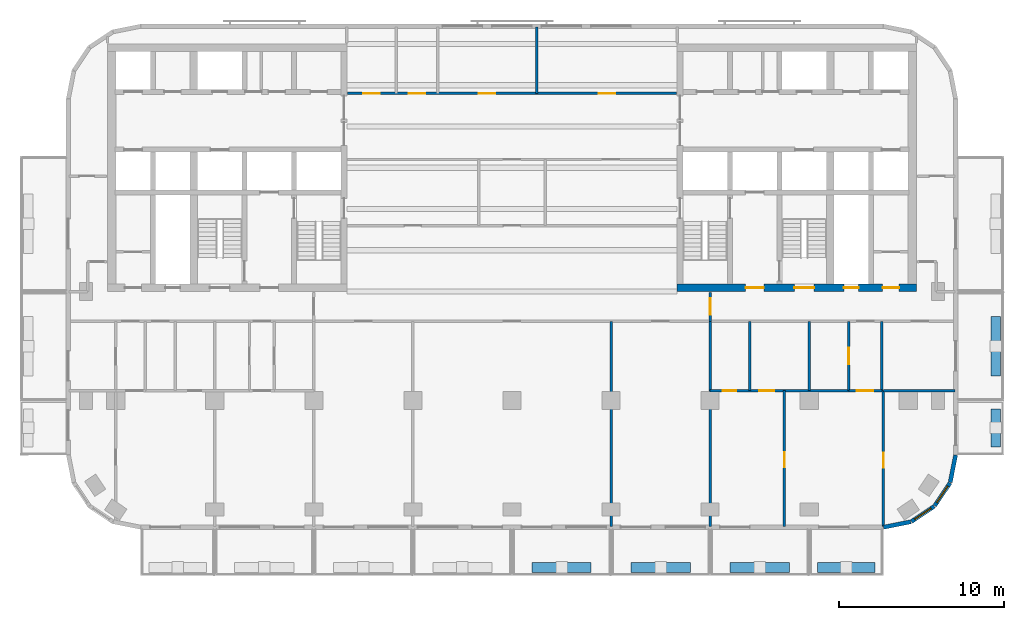
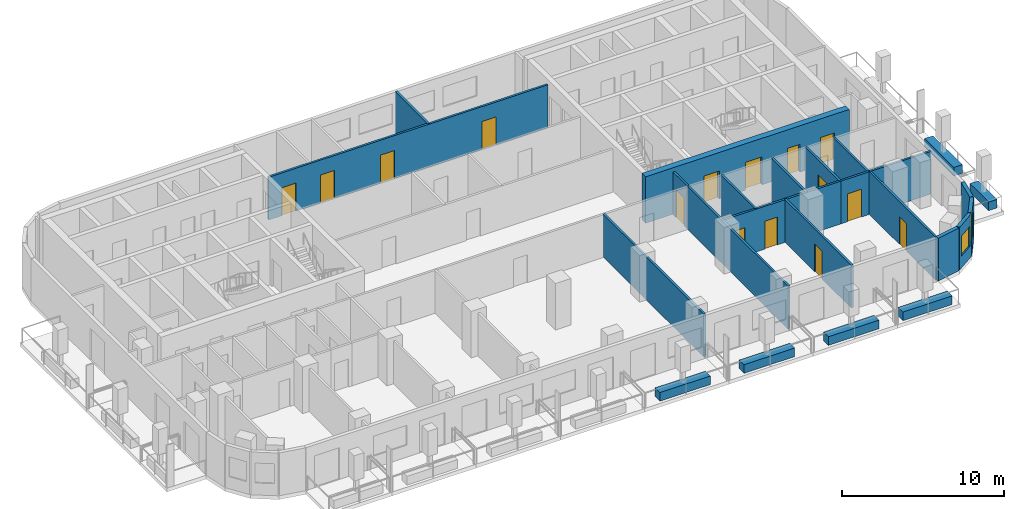
# One storey, part 5 of 11: 25 walls, 15 doors, 2 windows, 17 openings.
"""IFC4 building model written with IfcOpenShell, lengths in metres."""

import ifcopenshell
import ifcopenshell.guid

model = None  # the IFC model being written
_history = None  # IfcOwnerHistory: only IFC2X3 demands one
_inside = {}  # id of a spatial element -> (the spatial element, [elements in it])
_under = {}  # id of a project, library or spatial element -> (it, [spatial elements below it])
_declared = {}  # id of a project -> (the project, [libraries it declares])
_typed = {}  # id of a type object -> (the type object, [elements of that type])
_made_of = {}  # id of a material, layer set ... -> (it, [elements and type objects made of it])


def new_model(schema):
    """Start an empty IFC model of exactly this schema.

    Asked for "IFC4X3", IfcOpenShell would pick the latest addendum, in which some entities
    have other attributes; the version numbers below select the first issue.
    IFC2X3 requires an IfcOwnerHistory on every rooted entity: one is made here for all.
    """
    global model, _history
    if schema == "IFC4X3":
        model = ifcopenshell.file(schema_version=(4, 3, 0, 0))
    else:
        model = ifcopenshell.file(schema=schema)
    _inside.clear()
    _under.clear()
    _declared.clear()
    _typed.clear()
    _made_of.clear()
    _history = None
    if model.schema == "IFC2X3":
        org = make("IfcOrganization", Name="unknown")
        user = make(
            "IfcPersonAndOrganization",
            ThePerson=make("IfcPerson", FamilyName="unknown"),
            TheOrganization=org,
        )
        app = make(
            "IfcApplication",
            ApplicationDeveloper=org,
            Version="unknown",
            ApplicationFullName="unknown",
            ApplicationIdentifier="unknown",
        )
        _history = make(
            "IfcOwnerHistory",
            OwningUser=user,
            OwningApplication=app,
            ChangeAction="ADDED",
            CreationDate=0,
        )
    return model


def make(cls, **values):
    """One entity of the class cls with the attributes given. An attribute that is None is left unset."""
    return model.create_entity(
        cls, **{name: value for name, value in values.items() if value is not None}
    )


def rooted(cls, **values):
    """An entity with a GlobalId (a new one), such as an element, a storey or a relation."""
    return make(cls, GlobalId=ifcopenshell.guid.new(), OwnerHistory=_history, **values)


def si_unit(unit_type, name, prefix=None):
    """IfcSIUnit, for example si_unit("LENGTHUNIT", "METRE", prefix="MILLI")."""
    return make("IfcSIUnit", UnitType=unit_type, Prefix=prefix, Name=name)


def assignment(units):
    """IfcUnitAssignment: the units of a project."""
    return None if units is None else make("IfcUnitAssignment", Units=units)


def point(xyz):
    """IfcCartesianPoint."""
    return None if xyz is None else make("IfcCartesianPoint", Coordinates=xyz)


def direction(xyz):
    """IfcDirection."""
    return None if xyz is None else make("IfcDirection", DirectionRatios=xyz)


def frame(location, z_axis=None, x_axis=None):
    """IfcAxis2Placement3D, a coordinate frame: its origin and axes. An axis left out is left unset."""
    return make(
        "IfcAxis2Placement3D",
        Location=point(location),
        Axis=direction(z_axis),
        RefDirection=direction(x_axis),
    )


def frame_2d(location, x_axis=None):
    """IfcAxis2Placement2D, a coordinate frame in the plane: its origin and x axis."""
    return make(
        "IfcAxis2Placement2D", Location=point(location), RefDirection=direction(x_axis)
    )


def origin():
    """The frame at (0, 0, 0) with its axes left unset."""
    return frame((0.0, 0.0, 0.0))


def place(relative_to, where):
    """IfcLocalPlacement: puts the frame where relative to a parent placement (None: the world)."""
    return make(
        "IfcLocalPlacement", PlacementRelTo=relative_to, RelativePlacement=where
    )


def context(
    kind, dimensions, precision=None, world=None, true_north=None, identifier=None
):
    """IfcGeometricRepresentationContext, for example the 3D "Model" context."""
    return make(
        "IfcGeometricRepresentationContext",
        ContextIdentifier=identifier,
        ContextType=kind,
        CoordinateSpaceDimension=dimensions,
        Precision=precision,
        WorldCoordinateSystem=world,
        TrueNorth=true_north,
    )


def subcontext(parent, identifier, kind, view, scale=None):
    """IfcGeometricRepresentationSubContext, for example "Body" below "Model"."""
    return make(
        "IfcGeometricRepresentationSubContext",
        ContextIdentifier=identifier,
        ContextType=kind,
        ParentContext=parent,
        TargetScale=scale,
        TargetView=view,
    )


def project(units=None, contexts=None):
    """IfcProject with its units and contexts."""
    return rooted(
        "IfcProject",
        Name="project",
        RepresentationContexts=contexts,
        UnitsInContext=assignment(units),
    )


def spatial(cls, under=None, at=None, **own):
    """A site, building, storey or space (cls), placed at a placement, below another one or the project."""
    s = rooted(cls, ObjectPlacement=at, **own)
    if under is not None:
        _under.setdefault(under.id(), (under, []))[1].append(s)
    return s


def profile(cls, at=None, kind="AREA", **sizes):
    """A parametric profile (cls). Its sizes go by their IFC names, for example OverallWidth=200.0."""
    return make(cls, ProfileType=kind, Position=at, **sizes)


def rectangle(**sizes):
    """IfcRectangleProfileDef."""
    return profile("IfcRectangleProfileDef", **sizes)


def extrude(swept, where, along, depth):
    """IfcExtrudedAreaSolid: the profile swept, set in the frame where, extruded along a direction by depth."""
    return make(
        "IfcExtrudedAreaSolid",
        SweptArea=swept,
        Position=where,
        ExtrudedDirection=direction(along),
        Depth=depth,
    )


def shape(context_of_items, identifier, shape_type, items):
    """IfcShapeRepresentation: the items that make up one representation, for example the "Body"."""
    return make(
        "IfcShapeRepresentation",
        ContextOfItems=context_of_items,
        RepresentationIdentifier=identifier,
        RepresentationType=shape_type,
        Items=items,
    )


def material(Name=None, Category=None):
    """IfcMaterial."""
    return make("IfcMaterial", Name=Name, Category=Category)


def layer(
    of_material, thickness, ventilated=None, Name=None, Category=None, Priority=None
):
    """IfcMaterialLayer: one layer of a wall or slab, of a material (None: an air gap)."""
    return make(
        "IfcMaterialLayer",
        Material=of_material,
        LayerThickness=thickness,
        IsVentilated=ventilated,
        Name=Name,
        Category=Category,
        Priority=Priority,
    )


def layer_set(layers, Name=None):
    """IfcMaterialLayerSet."""
    return make("IfcMaterialLayerSet", MaterialLayers=layers, LayerSetName=Name)


def made_of(thing, what):
    """Note that an element or type object is made of a material, layer set ...; save() writes the relation."""
    if what is not None:
        _made_of.setdefault(what.id(), (what, []))[1].append(thing)
    return thing


def type_object(cls, material=None, **own):
    """A type object (cls), such as IfcWallType, which elements share."""
    return made_of(rooted(cls, **own), material)


def element(
    cls,
    number,
    at=None,
    inside=None,
    cuts=None,
    type_object=None,
    material=None,
    context=None,
    identifier="Body",
    shape_type=None,
    held_by="IfcProductDefinitionShape",
    body=None,
    shapes=None,
    **own,
):
    """One element of the class cls, such as IfcWall. Its Tag is "e" and its number.

    at: its placement. inside: the storey or other place that contains it. cuts: it is an
    opening in that element (IfcRelVoidsElement). A single representation is given by context,
    identifier, shape_type and body (its items); several are given by shapes. held_by: the class
    of the entity that holds the representations. save() writes the other relations.
    """
    e = rooted(cls, Tag="e%d" % number, ObjectPlacement=at, **own)
    if body is not None:
        shapes = [shape(context, identifier, shape_type, body)]
    if shapes is not None:
        e.Representation = make(held_by, Representations=shapes)
    if inside is not None:
        _inside.setdefault(inside.id(), (inside, []))[1].append(e)
    if cuts is not None:
        rooted(
            "IfcRelVoidsElement", RelatingBuildingElement=cuts, RelatedOpeningElement=e
        )
    if type_object is not None:
        _typed.setdefault(type_object.id(), (type_object, []))[1].append(e)
    return made_of(e, material)


def fill(opening, filler):
    """IfcRelFillsElement: the door or window that sits in an opening."""
    return rooted(
        "IfcRelFillsElement",
        RelatingOpeningElement=opening,
        RelatedBuildingElement=filler,
    )


def aggregate(whole, parts):
    """IfcRelAggregates: a whole, such as a stair, and the parts it consists of."""
    return rooted("IfcRelAggregates", RelatingObject=whole, RelatedObjects=parts)


def save(model, path):
    """Write the relations noted so far, then the file.

    IfcRelAggregates (storeys below a building ...), IfcRelContainedInSpatialStructure (elements
    in a storey), IfcRelDefinesByType, IfcRelAssociatesMaterial and IfcRelDeclares: one each for
    every whole, place, type object, material and project.
    """
    for whole, parts in _under.values():
        aggregate(whole, parts)
    for where, things in _inside.values():
        rooted(
            "IfcRelContainedInSpatialStructure",
            RelatedElements=things,
            RelatingStructure=where,
        )
    for kind, things in _typed.values():
        rooted("IfcRelDefinesByType", RelatedObjects=things, RelatingType=kind)
    for what, things in _made_of.values():
        rooted("IfcRelAssociatesMaterial", RelatedObjects=things, RelatingMaterial=what)
    for by, libraries in _declared.values():
        rooted("IfcRelDeclares", RelatingContext=by, RelatedDefinitions=libraries)
    model.write(path)


model = new_model("IFC4")

# Units and contexts
model_context = context("Model", 3, precision=1e-05, world=origin(), true_north=direction((0.0, 1.0)))
body_context = subcontext(model_context, "Body", "Model", "MODEL_VIEW")
ifc_project = project(units=[si_unit("LENGTHUNIT", "METRE"), si_unit("AREAUNIT", "SQUARE_METRE"), si_unit("VOLUMEUNIT", "CUBIC_METRE"), si_unit("PLANEANGLEUNIT", "RADIAN"), si_unit("MASSUNIT", "GRAM", prefix="KILO")], contexts=[model_context])

# Site, building, storey
site_placement = place(None, origin())
site = spatial("IfcSite", under=ifc_project, at=site_placement, CompositionType="ELEMENT")
building_placement = place(site_placement, origin())
building = spatial("IfcBuilding", under=site, at=building_placement, Name="Torana Hotel and Residences", CompositionType="ELEMENT")
storey_placement = place(building_placement, frame((0.0, 0.0, 222.10009765625)))
storey = spatial("IfcBuildingStorey", under=building, at=storey_placement, Name="L58", CompositionType="ELEMENT", Elevation=222.10009765625)

# Wall, openings, doors
ifc_material_1 = material(Name="Concrete C70/85", Category="concrete")
ifc_layer_1 = layer(ifc_material_1, 0.449951171875)
ifc_layer_set_1 = layer_set([ifc_layer_1], Name="CORE WALL 450 C70/85")
wall_type_1 = type_object("IfcWallType", Name="CORE WALL 450 C70/85", PredefinedType="SHEAR", material=ifc_layer_set_1)
wall_1_placement = place(storey_placement, frame((10.0, -14.77490234375, 0.0), z_axis=(0.0, 0.0, 1.0), x_axis=(1.0, 0.0, 0.0)))
wall_1 = element("IfcWall", 1, at=wall_1_placement, inside=storey, type_object=wall_type_1, Name="Core wall E front", PredefinedType="SHEAR", context=body_context, shape_type="SweptSolid", body=[
    extrude(rectangle(XDim=14.5, YDim=0.449951171875, at=frame_2d((7.25, 0.0))), origin(), (0.0, 0.0, 1.0), 3.5),
])
opening_1_placement = place(wall_1_placement, frame((7.10009765625, 0.0, 0.0)))
opening_1 = element("IfcOpeningElement", 2, at=opening_1_placement, cuts=wall_1, Name="Opening L58-18", PredefinedType="OPENING", context=body_context, shape_type="SweptSolid", body=[
    extrude(rectangle(XDim=1.199951171875, YDim=2.10009765625, at=frame_2d((0.60009765625, 1.050048828125))), frame((0.0, 0.23486328125, 0.0), z_axis=(0.0, -1.0, 0.0), x_axis=(1.0, 0.0, 0.0)), (0.0, 0.0, 1.0), 0.469970703125),
])
opening_2_placement = place(wall_1_placement, frame((4.14990234375, 0.0, 0.0)))
opening_2 = element("IfcOpeningElement", 3, at=opening_2_placement, cuts=wall_1, Name="Opening L58-19", PredefinedType="OPENING", context=body_context, shape_type="SweptSolid", body=[
    extrude(rectangle(XDim=1.10009765625, YDim=2.10009765625, at=frame_2d((0.550048828125, 1.050048828125))), frame((0.0, 0.23486328125, 0.0), z_axis=(0.0, -1.0, 0.0), x_axis=(1.0, 0.0, 0.0)), (0.0, 0.0, 1.0), 0.469970703125),
])
opening_3_placement = place(wall_1_placement, frame((10.10009765625, 0.0, 0.0)))
opening_3 = element("IfcOpeningElement", 4, at=opening_3_placement, cuts=wall_1, Name="Opening L58-20", PredefinedType="OPENING", context=body_context, shape_type="SweptSolid", body=[
    extrude(rectangle(XDim=0.89990234375, YDim=2.10009765625, at=frame_2d((0.449951171875, 1.050048828125))), frame((0.0, 0.23486328125, 0.0), z_axis=(0.0, -1.0, 0.0), x_axis=(1.0, 0.0, 0.0)), (0.0, 0.0, 1.0), 0.469970703125),
])
opening_4_placement = place(wall_1_placement, frame((12.449951171875, 0.0, 0.0)))
opening_4 = element("IfcOpeningElement", 5, at=opening_4_placement, cuts=wall_1, Name="Opening L58-21", PredefinedType="OPENING", context=body_context, shape_type="SweptSolid", body=[
    extrude(rectangle(XDim=1.0, YDim=2.10009765625, at=frame_2d((0.5, 1.050048828125))), frame((0.0, 0.23486328125, 0.0), z_axis=(0.0, -1.0, 0.0), x_axis=(1.0, 0.0, 0.0)), (0.0, 0.0, 1.0), 0.469970703125),
])
ifc_material_2 = material(Name="Steel S235", Category="steel")
door_type_1 = type_object("IfcDoorType", Name="CORE ROOM FIRE DOOR D14 1000x2100", OperationType="SINGLE_SWING_LEFT", PredefinedType="DOOR", material=ifc_material_2)
door_1_placement = place(opening_4_placement, origin())
door_1 = element("IfcDoor", 6, at=door_1_placement, inside=storey, type_object=door_type_1, Name="M-Room-B door L58", OperationType="SINGLE_SWING_RIGHT", OverallHeight=2.10009765625, OverallWidth=1.0, PredefinedType="DOOR", context=body_context, shape_type="SweptSolid", body=[
    extrude(rectangle(XDim=1.0, YDim=2.10009765625, at=frame_2d((0.5, 1.050048828125))), frame((0.0, 0.02490234375, 0.0), z_axis=(0.0, -1.0, 0.0), x_axis=(1.0, 0.0, 0.0)), (0.0, 0.0, 1.0), 0.050048828125),
])
fill(opening_4, door_1)
ifc_material_3 = material(Name="Steel S235", Category="steel")
door_type_2 = type_object("IfcDoorType", Name="FIRE-FIGHTING LOBBY DOOR D8 1100x2100", OperationType="SINGLE_SWING_LEFT", PredefinedType="DOOR", material=ifc_material_3)
door_2_placement = place(opening_2_placement, origin())
door_2 = element("IfcDoor", 7, at=door_2_placement, inside=storey, type_object=door_type_2, Name="FF-lobby door L58", OperationType="SINGLE_SWING_RIGHT", OverallHeight=2.10009765625, OverallWidth=1.10009765625, PredefinedType="DOOR", context=body_context, shape_type="SweptSolid", body=[
    extrude(rectangle(XDim=1.10009765625, YDim=2.10009765625, at=frame_2d((0.550048828125, 1.050048828125))), frame((0.0, 0.02490234375, 0.0), z_axis=(0.0, -1.0, 0.0), x_axis=(1.0, 0.0, 0.0)), (0.0, 0.0, 1.0), 0.050048828125),
])
fill(opening_2, door_2)
ifc_material_4 = material(Name="Steel S235", Category="steel")
door_type_3 = type_object("IfcDoorType", Name="RISER ACCESS DOOR D5 900x2100", OperationType="SINGLE_SWING_LEFT", PredefinedType="DOOR", material=ifc_material_4)
door_3_placement = place(opening_3_placement, origin())
door_3 = element("IfcDoor", 8, at=door_3_placement, inside=storey, type_object=door_type_3, Name="M-Riser door L58", OperationType="SINGLE_SWING_RIGHT", OverallHeight=2.10009765625, OverallWidth=0.89990234375, PredefinedType="DOOR", context=body_context, shape_type="SweptSolid", body=[
    extrude(rectangle(XDim=0.89990234375, YDim=2.10009765625, at=frame_2d((0.449951171875, 1.050048828125))), frame((0.0, 0.02490234375, 0.0), z_axis=(0.0, -1.0, 0.0), x_axis=(1.0, 0.0, 0.0)), (0.0, 0.0, 1.0), 0.050048828125),
])
fill(opening_3, door_3)
ifc_material_5 = material(Name="Steel S235", Category="steel")
door_type_4 = type_object("IfcDoorType", Name="STAIR FIRE DOOR D3 1200x2100", OperationType="SINGLE_SWING_LEFT", PredefinedType="DOOR", material=ifc_material_5)
door_4_placement = place(opening_1_placement, origin())
door_4 = element("IfcDoor", 9, at=door_4_placement, inside=storey, type_object=door_type_4, Name="Stair-B door L58", OperationType="SINGLE_SWING_RIGHT", OverallHeight=2.10009765625, OverallWidth=1.199951171875, PredefinedType="DOOR", context=body_context, shape_type="SweptSolid", body=[
    extrude(rectangle(XDim=1.199951171875, YDim=2.10009765625, at=frame_2d((0.60009765625, 1.050048828125))), frame((0.0, 0.02490234375, 0.0), z_axis=(0.0, -1.0, 0.0), x_axis=(1.0, 0.0, 0.0)), (0.0, 0.0, 1.0), 0.050048828125),
])
fill(opening_1, door_4)

# Wall
ifc_material_6 = material(Name="Black aluminium composite panel", Category="aluminium")
ifc_layer_2 = layer(ifc_material_6, 0.00390625, Name="Cladding", Category="cladding")
ifc_material_7 = material(Name="Ventilated air cavity")
ifc_layer_3 = layer(ifc_material_7, 0.0400390625, Name="Ventilated cavity", Category="cavity")
ifc_material_8 = material(Name="Mineral wool insulation")
ifc_layer_4 = layer(ifc_material_8, 0.090087890625, Name="Insulation", Category="insulation")
ifc_material_9 = material(Name="Steel S280GD", Category="steel")
ifc_layer_5 = layer(ifc_material_9, 0.092041015625, Name="Steel stud frame", Category="structure")
ifc_material_10 = material(Name="Fire rated plasterboard")
ifc_layer_6 = layer(ifc_material_10, 0.011962890625, Name="Inner board", Category="finish")
ifc_layer_7 = layer(ifc_material_10, 0.011962890625, Name="Second board", Category="finish")
ifc_layer_set_2 = layer_set([ifc_layer_2, ifc_layer_3, ifc_layer_4, ifc_layer_5, ifc_layer_6, ifc_layer_7], Name="EW1 EXTERNAL WALL BLACK METAL CLAD 250")
wall_type_2 = type_object("IfcWallType", Name="EW1 EXTERNAL WALL BLACK METAL CLAD 250", PredefinedType="SOLIDWALL", material=ifc_layer_set_2)
wall_2_placement = place(storey_placement, frame((22.499755859375, -29.272705078125, 0.0), z_axis=(0.0, 0.0, 1.0), x_axis=(0.980775640221, 0.19513878023, 0.0)))
element("IfcWall", 10, at=wall_2_placement, inside=storey, type_object=wall_type_2, Name="External wall L58 e0.15", PredefinedType="SOLIDWALL", context=body_context, shape_type="SweptSolid", body=[
    extrude(rectangle(XDim=1.681396484375, YDim=0.25, at=frame_2d((0.8408203125, 0.0))), origin(), (0.0, 0.0, 1.0), 3.219970703125),
])

# Wall, opening, window
wall_3_placement = place(storey_placement, frame((24.194091796875, -28.92578125, 0.0), z_axis=(0.0, 0.0, 1.0), x_axis=(0.831482937015, 0.55555029066, 0.0)))
wall_3 = element("IfcWall", 11, at=wall_3_placement, inside=storey, type_object=wall_type_2, Name="External wall L58 e0.16", PredefinedType="SOLIDWALL", context=body_context, shape_type="SweptSolid", body=[
    extrude(rectangle(XDim=1.65625, YDim=0.25, at=frame_2d((0.828125, 0.0))), origin(), (0.0, 0.0, 1.0), 3.219970703125),
])
opening_5_placement = place(wall_3_placement, frame((0.228271484375, 0.0, 0.89990234375)))
opening_5 = element("IfcOpeningElement", 12, at=opening_5_placement, cuts=wall_3, Name="Opening W5", PredefinedType="OPENING", context=body_context, shape_type="SweptSolid", body=[
    extrude(rectangle(XDim=1.199951171875, YDim=1.5, at=frame_2d((0.60009765625, 0.75))), frame((0.0, 0.135009765625, 0.0), z_axis=(0.0, -1.0, 0.0), x_axis=(1.0, 0.0, 0.0)), (0.0, 0.0, 1.0), 0.27001953125),
])
ifc_material_11 = material(Name="Dark glass in black aluminium frame", Category="aluminium")
window_type = type_object("IfcWindowType", Name="W5 CORNER FACET WINDOW 1200x1500", PartitioningType="SINGLE_PANEL", PredefinedType="WINDOW", material=ifc_material_11)
window_1_placement = place(opening_5_placement, origin())
window_1 = element("IfcWindow", 13, at=window_1_placement, inside=storey, type_object=window_type, Name="Window L58 e0.16", OverallHeight=1.5, OverallWidth=1.199951171875, PartitioningType="SINGLE_PANEL", PredefinedType="WINDOW", context=body_context, shape_type="SweptSolid", body=[
    extrude(rectangle(XDim=1.199951171875, YDim=1.5, at=frame_2d((0.60009765625, 0.75))), frame((0.0, 0.030029296875, 0.0), z_axis=(0.0, -1.0, 0.0), x_axis=(1.0, 0.0, 0.0)), (0.0, 0.0, 1.0), 0.06005859375),
])
fill(opening_5, window_1)

wall_4_placement = place(storey_placement, frame((25.605712890625, -27.97119140625, 0.0), z_axis=(0.0, 0.0, 1.0), x_axis=(0.55555029066, 0.831482937015, 0.0)))
wall_4 = element("IfcWall", 14, at=wall_4_placement, inside=storey, type_object=wall_type_2, Name="External wall L58 e0.17", PredefinedType="SOLIDWALL", context=body_context, shape_type="SweptSolid", body=[
    extrude(rectangle(XDim=1.65625, YDim=0.25, at=frame_2d((0.828125, 0.0))), origin(), (0.0, 0.0, 1.0), 3.219970703125),
])
opening_6_placement = place(wall_4_placement, frame((0.228271484375, 0.0, 0.89990234375)))
opening_6 = element("IfcOpeningElement", 15, at=opening_6_placement, cuts=wall_4, Name="Opening W5", PredefinedType="OPENING", context=body_context, shape_type="SweptSolid", body=[
    extrude(rectangle(XDim=1.199951171875, YDim=1.5, at=frame_2d((0.60009765625, 0.75))), frame((0.0, 0.135009765625, 0.0), z_axis=(0.0, -1.0, 0.0), x_axis=(1.0, 0.0, 0.0)), (0.0, 0.0, 1.0), 0.27001953125),
])
window_2_placement = place(opening_6_placement, origin())
window_2 = element("IfcWindow", 16, at=window_2_placement, inside=storey, type_object=window_type, Name="Window L58 e0.17", OverallHeight=1.5, OverallWidth=1.199951171875, PartitioningType="SINGLE_PANEL", PredefinedType="WINDOW", context=body_context, shape_type="SweptSolid", body=[
    extrude(rectangle(XDim=1.199951171875, YDim=1.5, at=frame_2d((0.60009765625, 0.75))), frame((0.0, 0.030029296875, 0.0), z_axis=(0.0, -1.0, 0.0), x_axis=(1.0, 0.0, 0.0)), (0.0, 0.0, 1.0), 0.06005859375),
])
fill(opening_6, window_2)

# Walls
wall_5_placement = place(storey_placement, frame((26.544677734375, -26.548828125, 0.0), z_axis=(0.0, 0.0, 1.0), x_axis=(0.195026884138, 0.980797896849, 0.0)))
element("IfcWall", 17, at=wall_5_placement, inside=storey, type_object=wall_type_2, Name="External wall L58 e0.18", PredefinedType="SOLIDWALL", context=body_context, shape_type="SweptSolid", body=[
    extrude(rectangle(XDim=1.68115234375, YDim=0.25, at=frame_2d((0.840576171875, 0.0))), origin(), (0.0, 0.0, 1.0), 3.219970703125),
])
ifc_material_12 = material(Name="Gypsum plaster")
ifc_layer_8 = layer(ifc_material_12, 0.014892578125, Name="Plaster", Category="finish")
ifc_material_13 = material(Name="Concrete blockwork", Category="masonry")
ifc_layer_9 = layer(ifc_material_13, 0.1201171875, Name="Blockwork", Category="structure")
ifc_layer_10 = layer(ifc_material_12, 0.014892578125, Name="Plaster", Category="finish")
ifc_layer_set_3 = layer_set([ifc_layer_8, ifc_layer_9, ifc_layer_10], Name="FIRE PARTITION 150 BLOCKWORK")
wall_type_3 = type_object("IfcWallType", Name="FIRE PARTITION 150 BLOCKWORK", PredefinedType="PARTITIONING", material=ifc_layer_set_3)
wall_6_placement = place(storey_placement, frame((22.39990234375, -21.0, 0.0), z_axis=(0.0, 0.0, 1.0), x_axis=(0.0, 1.0, 0.0)))
element("IfcWall", 18, at=wall_6_placement, inside=storey, type_object=wall_type_3, Name="Partition L58", PredefinedType="PARTITIONING", context=body_context, shape_type="SweptSolid", body=[
    extrude(rectangle(XDim=4.199951171875, YDim=0.14990234375, at=frame_2d((2.10009765625, 0.0))), origin(), (0.0, 0.0, 1.0), 3.219970703125),
])

# Wall, opening, door
wall_7_placement = place(storey_placement, frame((20.39990234375, -21.0, 0.0), z_axis=(0.0, 0.0, 1.0), x_axis=(0.0, 1.0, 0.0)))
wall_7 = element("IfcWall", 19, at=wall_7_placement, inside=storey, type_object=wall_type_3, Name="Partition L58", PredefinedType="PARTITIONING", context=body_context, shape_type="SweptSolid", body=[
    extrude(rectangle(XDim=4.199951171875, YDim=0.14990234375, at=frame_2d((2.10009765625, 0.0))), origin(), (0.0, 0.0, 1.0), 3.219970703125),
])
opening_7_placement = place(wall_7_placement, frame((1.60009765625, 0.0, 0.0)))
opening_7 = element("IfcOpeningElement", 20, at=opening_7_placement, cuts=wall_7, Name="Opening L58-60", PredefinedType="OPENING", context=body_context, shape_type="SweptSolid", body=[
    extrude(rectangle(XDim=1.0, YDim=2.10009765625, at=frame_2d((0.5, 1.050048828125))), frame((0.0, 0.0849609375, 0.0), z_axis=(0.0, -1.0, 0.0), x_axis=(1.0, 0.0, 0.0)), (0.0, 0.0, 1.0), 0.169921875),
])
ifc_material_14 = material(Name="Steel S235", Category="steel")
door_type_5 = type_object("IfcDoorType", Name="ENTRY FIRE DOOR D6 1000x2100", OperationType="SINGLE_SWING_LEFT", PredefinedType="DOOR", material=ifc_material_14)
door_5_placement = place(opening_7_placement, origin())
door_5 = element("IfcDoor", 21, at=door_5_placement, inside=storey, type_object=door_type_5, Name="Door L58", OperationType="SINGLE_SWING_RIGHT", OverallHeight=2.10009765625, OverallWidth=1.0, PredefinedType="DOOR", context=body_context, shape_type="SweptSolid", body=[
    extrude(rectangle(XDim=1.0, YDim=2.10009765625, at=frame_2d((0.5, 1.050048828125))), frame((0.0, 0.02490234375, 0.0), z_axis=(0.0, -1.0, 0.0), x_axis=(1.0, 0.0, 0.0)), (0.0, 0.0, 1.0), 0.050048828125),
])
fill(opening_7, door_5)

wall_8_placement = place(storey_placement, frame((12.0, -16.800048828125, 0.0), z_axis=(0.0, 0.0, 1.0), x_axis=(0.0, 1.0, 0.0)))
wall_8 = element("IfcWall", 22, at=wall_8_placement, inside=storey, type_object=wall_type_3, Name="Partition L58", PredefinedType="PARTITIONING", context=body_context, shape_type="SweptSolid", body=[
    extrude(rectangle(XDim=1.75, YDim=0.14990234375, at=frame_2d((0.875, 0.0))), origin(), (0.0, 0.0, 1.0), 3.219970703125),
])
opening_8_placement = place(wall_8_placement, frame((0.39990234375, 0.0, 0.0)))
opening_8 = element("IfcOpeningElement", 23, at=opening_8_placement, cuts=wall_8, Name="Opening L58-36", PredefinedType="OPENING", context=body_context, shape_type="SweptSolid", body=[
    extrude(rectangle(XDim=1.0, YDim=2.10009765625, at=frame_2d((0.5, 1.050048828125))), frame((0.0, 0.0849609375, 0.0), z_axis=(0.0, -1.0, 0.0), x_axis=(1.0, 0.0, 0.0)), (0.0, 0.0, 1.0), 0.169921875),
])
door_6_placement = place(opening_8_placement, origin())
door_6 = element("IfcDoor", 24, at=door_6_placement, inside=storey, type_object=door_type_5, Name="Door L58", OperationType="SINGLE_SWING_RIGHT", OverallHeight=2.10009765625, OverallWidth=1.0, PredefinedType="DOOR", context=body_context, shape_type="SweptSolid", body=[
    extrude(rectangle(XDim=1.0, YDim=2.10009765625, at=frame_2d((0.5, 1.050048828125))), frame((0.0, 0.02490234375, 0.0), z_axis=(0.0, -1.0, 0.0), x_axis=(1.0, 0.0, 0.0)), (0.0, 0.0, 1.0), 0.050048828125),
])
fill(opening_8, door_6)

wall_9_placement = place(storey_placement, frame((20.39990234375, -21.0, 0.0), z_axis=(0.0, 0.0, 1.0), x_axis=(1.0, 0.0, 0.0)))
wall_9 = element("IfcWall", 25, at=wall_9_placement, inside=storey, type_object=wall_type_3, Name="Partition L58", PredefinedType="PARTITIONING", context=body_context, shape_type="SweptSolid", body=[
    extrude(rectangle(XDim=2.0, YDim=0.14990234375, at=frame_2d((1.0, 0.0))), origin(), (0.0, 0.0, 1.0), 3.219970703125),
])
opening_9_placement = place(wall_9_placement, frame((0.47998046875, 0.0, 0.0)))
opening_9 = element("IfcOpeningElement", 26, at=opening_9_placement, cuts=wall_9, Name="Opening L58-61", PredefinedType="OPENING", context=body_context, shape_type="SweptSolid", body=[
    extrude(rectangle(XDim=1.0, YDim=2.10009765625, at=frame_2d((0.5, 1.050048828125))), frame((0.0, 0.0849609375, 0.0), z_axis=(0.0, -1.0, 0.0), x_axis=(1.0, 0.0, 0.0)), (0.0, 0.0, 1.0), 0.169921875),
])
door_7_placement = place(opening_9_placement, frame((0.5, 0.0, 0.0), z_axis=(0.0, 0.0, 1.0), x_axis=(-1.0, 0.0, 0.0)))
door_7 = element("IfcDoor", 27, at=door_7_placement, inside=storey, type_object=door_type_5, Name="Door L58", OperationType="SINGLE_SWING_RIGHT", OverallHeight=2.10009765625, OverallWidth=1.0, PredefinedType="DOOR", context=body_context, shape_type="SweptSolid", body=[
    extrude(rectangle(XDim=1.0, YDim=2.10009765625, at=frame_2d((0.0, 1.050048828125))), frame((0.0, -0.02490234375, 0.0), z_axis=(0.0, 1.0, 0.0), x_axis=(-1.0, 0.0, 0.0)), (0.0, 0.0, 1.0), 0.050048828125),
])
fill(opening_9, door_7)

# Wall, openings, doors
wall_10_placement = place(storey_placement, frame((-9.949951171875, -3.0, 0.0), z_axis=(0.0, 0.0, 1.0), x_axis=(1.0, 0.0, 0.0)))
wall_10 = element("IfcWall", 28, at=wall_10_placement, inside=storey, type_object=wall_type_3, Name="Partition L58", PredefinedType="PARTITIONING", context=body_context, shape_type="SweptSolid", body=[
    extrude(rectangle(XDim=19.89990234375, YDim=0.14990234375, at=frame_2d((9.949951171875, 0.0))), origin(), (0.0, 0.0, 1.0), 3.219970703125),
])
opening_10_placement = place(wall_10_placement, frame((0.949951171875, 0.0, 0.0)))
opening_10 = element("IfcOpeningElement", 29, at=opening_10_placement, cuts=wall_10, Name="Opening L58-47", PredefinedType="OPENING", context=body_context, shape_type="SweptSolid", body=[
    extrude(rectangle(XDim=1.0, YDim=2.10009765625, at=frame_2d((0.5, 1.050048828125))), frame((0.0, 0.0849609375, 0.0), z_axis=(0.0, -1.0, 0.0), x_axis=(1.0, 0.0, 0.0)), (0.0, 0.0, 1.0), 0.169921875),
])
opening_11_placement = place(wall_10_placement, frame((3.699951171875, 0.0, 0.0)))
opening_11 = element("IfcOpeningElement", 30, at=opening_11_placement, cuts=wall_10, Name="Opening L58-48", PredefinedType="OPENING", context=body_context, shape_type="SweptSolid", body=[
    extrude(rectangle(XDim=1.0, YDim=2.10009765625, at=frame_2d((0.5, 1.050048828125))), frame((0.0, 0.0849609375, 0.0), z_axis=(0.0, -1.0, 0.0), x_axis=(1.0, 0.0, 0.0)), (0.0, 0.0, 1.0), 0.169921875),
])
opening_12_placement = place(wall_10_placement, frame((7.949951171875, 0.0, 0.0)))
opening_12 = element("IfcOpeningElement", 31, at=opening_12_placement, cuts=wall_10, Name="Opening L58-49", PredefinedType="OPENING", context=body_context, shape_type="SweptSolid", body=[
    extrude(rectangle(XDim=1.0, YDim=2.10009765625, at=frame_2d((0.5, 1.050048828125))), frame((0.0, 0.0849609375, 0.0), z_axis=(0.0, -1.0, 0.0), x_axis=(1.0, 0.0, 0.0)), (0.0, 0.0, 1.0), 0.169921875),
])
opening_13_placement = place(wall_10_placement, frame((15.199951171875, 0.0, 0.0)))
opening_13 = element("IfcOpeningElement", 32, at=opening_13_placement, cuts=wall_10, Name="Opening L58-50", PredefinedType="OPENING", context=body_context, shape_type="SweptSolid", body=[
    extrude(rectangle(XDim=1.0, YDim=2.10009765625, at=frame_2d((0.5, 1.050048828125))), frame((0.0, 0.0849609375, 0.0), z_axis=(0.0, -1.0, 0.0), x_axis=(1.0, 0.0, 0.0)), (0.0, 0.0, 1.0), 0.169921875),
])
door_8_placement = place(opening_10_placement, origin())
door_8 = element("IfcDoor", 33, at=door_8_placement, inside=storey, type_object=door_type_5, Name="Door L58", OperationType="SINGLE_SWING_RIGHT", OverallHeight=2.10009765625, OverallWidth=1.0, PredefinedType="DOOR", context=body_context, shape_type="SweptSolid", body=[
    extrude(rectangle(XDim=1.0, YDim=2.10009765625, at=frame_2d((0.5, 1.050048828125))), frame((0.0, 0.02490234375, 0.0), z_axis=(0.0, -1.0, 0.0), x_axis=(1.0, 0.0, 0.0)), (0.0, 0.0, 1.0), 0.050048828125),
])
fill(opening_10, door_8)
door_9_placement = place(opening_11_placement, origin())
door_9 = element("IfcDoor", 34, at=door_9_placement, inside=storey, type_object=door_type_5, Name="Door L58", OperationType="SINGLE_SWING_RIGHT", OverallHeight=2.10009765625, OverallWidth=1.0, PredefinedType="DOOR", context=body_context, shape_type="SweptSolid", body=[
    extrude(rectangle(XDim=1.0, YDim=2.10009765625, at=frame_2d((0.5, 1.050048828125))), frame((0.0, 0.02490234375, 0.0), z_axis=(0.0, -1.0, 0.0), x_axis=(1.0, 0.0, 0.0)), (0.0, 0.0, 1.0), 0.050048828125),
])
fill(opening_11, door_9)
door_10_placement = place(opening_12_placement, origin())
door_10 = element("IfcDoor", 35, at=door_10_placement, inside=storey, type_object=door_type_5, Name="Door L58", OperationType="SINGLE_SWING_RIGHT", OverallHeight=2.10009765625, OverallWidth=1.0, PredefinedType="DOOR", context=body_context, shape_type="SweptSolid", body=[
    extrude(rectangle(XDim=1.0, YDim=2.10009765625, at=frame_2d((0.5, 1.050048828125))), frame((0.0, 0.02490234375, 0.0), z_axis=(0.0, -1.0, 0.0), x_axis=(1.0, 0.0, 0.0)), (0.0, 0.0, 1.0), 0.050048828125),
])
fill(opening_12, door_10)
door_11_placement = place(opening_13_placement, origin())
door_11 = element("IfcDoor", 36, at=door_11_placement, inside=storey, type_object=door_type_5, Name="Door L58", OperationType="SINGLE_SWING_RIGHT", OverallHeight=2.10009765625, OverallWidth=1.0, PredefinedType="DOOR", context=body_context, shape_type="SweptSolid", body=[
    extrude(rectangle(XDim=1.0, YDim=2.10009765625, at=frame_2d((0.5, 1.050048828125))), frame((0.0, 0.02490234375, 0.0), z_axis=(0.0, -1.0, 0.0), x_axis=(1.0, 0.0, 0.0)), (0.0, 0.0, 1.0), 0.050048828125),
])
fill(opening_13, door_11)

# Wall, opening, door
ifc_material_15 = material(Name="Gypsum plasterboard")
ifc_layer_11 = layer(ifc_material_15, 0.012451171875, Name="Plasterboard", Category="finish")
ifc_layer_12 = layer(ifc_material_15, 0.012451171875, Name="Plasterboard", Category="finish")
ifc_layer_13 = layer(ifc_material_9, 0.10009765625, Name="Steel studs with mineral wool", Category="insulation")
ifc_layer_14 = layer(ifc_material_15, 0.012451171875, Name="Plasterboard", Category="finish")
ifc_layer_15 = layer(ifc_material_15, 0.012451171875, Name="Plasterboard", Category="finish")
ifc_layer_set_4 = layer_set([ifc_layer_11, ifc_layer_12, ifc_layer_13, ifc_layer_14, ifc_layer_15], Name="PARTITION 150 PLASTERBOARD")
wall_type_4 = type_object("IfcWallType", Name="PARTITION 150 PLASTERBOARD", PredefinedType="PARTITIONING", material=ifc_layer_set_4)
wall_11_placement = place(storey_placement, frame((22.5, -29.216552734375, 0.0), z_axis=(0.0, 0.0, 1.0), x_axis=(0.0, 1.0, 0.0)))
wall_11 = element("IfcWall", 37, at=wall_11_placement, inside=storey, type_object=wall_type_4, Name="Partition L58", PredefinedType="PARTITIONING", context=body_context, shape_type="SweptSolid", body=[
    extrude(rectangle(XDim=8.216552734375, YDim=0.14990234375, at=frame_2d((4.1083984375, 0.0))), origin(), (0.0, 0.0, 1.0), 3.219970703125),
])
opening_14_placement = place(wall_11_placement, frame((3.54638671875, 0.0, 0.0)))
opening_14 = element("IfcOpeningElement", 38, at=opening_14_placement, cuts=wall_11, Name="Opening L58-63", PredefinedType="OPENING", context=body_context, shape_type="SweptSolid", body=[
    extrude(rectangle(XDim=0.89990234375, YDim=2.10009765625, at=frame_2d((0.449951171875, 1.050048828125))), frame((0.0, 0.0849609375, 0.0), z_axis=(0.0, -1.0, 0.0), x_axis=(1.0, 0.0, 0.0)), (0.0, 0.0, 1.0), 0.169921875),
])
ifc_material_16 = material(Name="Timber door, oiled ash", Category="wood")
door_type_6 = type_object("IfcDoorType", Name="ROOM DOOR D7 900x2100", OperationType="SINGLE_SWING_LEFT", PredefinedType="DOOR", material=ifc_material_16)
door_12_placement = place(opening_14_placement, origin())
door_12 = element("IfcDoor", 39, at=door_12_placement, inside=storey, type_object=door_type_6, Name="Door L58", OperationType="SINGLE_SWING_RIGHT", OverallHeight=2.10009765625, OverallWidth=0.89990234375, PredefinedType="DOOR", context=body_context, shape_type="SweptSolid", body=[
    extrude(rectangle(XDim=0.89990234375, YDim=2.10009765625, at=frame_2d((0.449951171875, 1.050048828125))), frame((0.0, 0.02490234375, 0.0), z_axis=(0.0, -1.0, 0.0), x_axis=(1.0, 0.0, 0.0)), (0.0, 0.0, 1.0), 0.050048828125),
])
fill(opening_14, door_12)

# Wall
wall_12_placement = place(storey_placement, frame((18.0, -21.0, 0.0), z_axis=(0.0, 0.0, 1.0), x_axis=(0.0, 1.0, 0.0)))
element("IfcWall", 40, at=wall_12_placement, inside=storey, type_object=wall_type_4, Name="Partition L58", PredefinedType="PARTITIONING", context=body_context, shape_type="SweptSolid", body=[
    extrude(rectangle(XDim=4.199951171875, YDim=0.14990234375, at=frame_2d((2.10009765625, 0.0))), origin(), (0.0, 0.0, 1.0), 3.219970703125),
])

# Wall, opening, door
wall_13_placement = place(storey_placement, frame((16.5, -29.219970703125, 0.0), z_axis=(0.0, 0.0, 1.0), x_axis=(0.0, 1.0, 0.0)))
wall_13 = element("IfcWall", 41, at=wall_13_placement, inside=storey, type_object=wall_type_4, Name="Partition L58", PredefinedType="PARTITIONING", context=body_context, shape_type="SweptSolid", body=[
    extrude(rectangle(XDim=8.219970703125, YDim=0.14990234375, at=frame_2d((4.10986328125, 0.0))), origin(), (0.0, 0.0, 1.0), 3.219970703125),
])
opening_15_placement = place(wall_13_placement, frame((3.590087890625, 0.0, 0.0)))
opening_15 = element("IfcOpeningElement", 42, at=opening_15_placement, cuts=wall_13, Name="Opening L58-62", PredefinedType="OPENING", context=body_context, shape_type="SweptSolid", body=[
    extrude(rectangle(XDim=0.89990234375, YDim=2.10009765625, at=frame_2d((0.449951171875, 1.050048828125))), frame((0.0, 0.0849609375, 0.0), z_axis=(0.0, -1.0, 0.0), x_axis=(1.0, 0.0, 0.0)), (0.0, 0.0, 1.0), 0.169921875),
])
door_13_placement = place(opening_15_placement, origin())
door_13 = element("IfcDoor", 43, at=door_13_placement, inside=storey, type_object=door_type_6, Name="Door L58", OperationType="SINGLE_SWING_RIGHT", OverallHeight=2.10009765625, OverallWidth=0.89990234375, PredefinedType="DOOR", context=body_context, shape_type="SweptSolid", body=[
    extrude(rectangle(XDim=0.89990234375, YDim=2.10009765625, at=frame_2d((0.449951171875, 1.050048828125))), frame((0.0, 0.02490234375, 0.0), z_axis=(0.0, -1.0, 0.0), x_axis=(1.0, 0.0, 0.0)), (0.0, 0.0, 1.0), 0.050048828125),
])
fill(opening_15, door_13)

# Walls
wall_14_placement = place(storey_placement, frame((14.39990234375, -21.0, 0.0), z_axis=(0.0, 0.0, 1.0), x_axis=(0.0, 1.0, 0.0)))
element("IfcWall", 44, at=wall_14_placement, inside=storey, type_object=wall_type_4, Name="Partition L58", PredefinedType="PARTITIONING", context=body_context, shape_type="SweptSolid", body=[
    extrude(rectangle(XDim=4.199951171875, YDim=0.14990234375, at=frame_2d((2.10009765625, 0.0))), origin(), (0.0, 0.0, 1.0), 3.219970703125),
])
for number, where, z_axis, x_axis, name in (
    (45, (12.0, -29.219970703125, 0.0), (0.0, 0.0, 1.0), (0.0, 1.0, 0.0), "Partition L58"),
    (46, (6.0, -29.219970703125, 0.0), (0.0, 0.0, 1.0), (0.0, 1.0, 0.0), "Partition L58"),
):
    element("IfcWall", number, at=place(storey_placement, frame(where, z_axis=z_axis, x_axis=x_axis)), inside=storey, type_object=wall_type_4, Name=name, PredefinedType="PARTITIONING", context=body_context, shape_type="SweptSolid", body=[
        extrude(rectangle(XDim=12.419921875, YDim=0.14990234375, at=frame_2d((6.2099609375, 0.0))), origin(), (0.0, 0.0, 1.0), 3.219970703125),
    ])
wall_15_placement = place(storey_placement, frame((1.5, -3.0, 0.0), z_axis=(0.0, 0.0, 1.0), x_axis=(0.0, 1.0, 0.0)))
element("IfcWall", 47, at=wall_15_placement, inside=storey, type_object=wall_type_4, Name="Partition L58", PredefinedType="PARTITIONING", context=body_context, shape_type="SweptSolid", body=[
    extrude(rectangle(XDim=4.02001953125, YDim=0.14990234375, at=frame_2d((2.010009765625, 0.0))), origin(), (0.0, 0.0, 1.0), 3.219970703125),
])

# Wall, openings, doors
wall_16_placement = place(storey_placement, frame((12.0, -21.0, 0.0), z_axis=(0.0, 0.0, 1.0), x_axis=(1.0, 0.0, 0.0)))
wall_16 = element("IfcWall", 48, at=wall_16_placement, inside=storey, type_object=wall_type_4, Name="Partition L58", PredefinedType="PARTITIONING", context=body_context, shape_type="SweptSolid", body=[
    extrude(rectangle(XDim=8.39990234375, YDim=0.14990234375, at=frame_2d((4.199951171875, 0.0))), origin(), (0.0, 0.0, 1.0), 3.219970703125),
])
opening_16_placement = place(wall_16_placement, frame((0.780029296875, 0.0, 0.0)))
opening_16 = element("IfcOpeningElement", 49, at=opening_16_placement, cuts=wall_16, Name="Opening L58-58", PredefinedType="OPENING", context=body_context, shape_type="SweptSolid", body=[
    extrude(rectangle(XDim=0.800048828125, YDim=2.10009765625, at=frame_2d((0.39990234375, 1.050048828125))), frame((0.0, 0.0849609375, 0.0), z_axis=(0.0, -1.0, 0.0), x_axis=(1.0, 0.0, 0.0)), (0.0, 0.0, 1.0), 0.169921875),
])
opening_17_placement = place(wall_16_placement, frame((2.97998046875, 0.0, 0.0)))
opening_17 = element("IfcOpeningElement", 50, at=opening_17_placement, cuts=wall_16, Name="Opening L58-59", PredefinedType="OPENING", context=body_context, shape_type="SweptSolid", body=[
    extrude(rectangle(XDim=0.89990234375, YDim=2.10009765625, at=frame_2d((0.449951171875, 1.050048828125))), frame((0.0, 0.0849609375, 0.0), z_axis=(0.0, -1.0, 0.0), x_axis=(1.0, 0.0, 0.0)), (0.0, 0.0, 1.0), 0.169921875),
])
ifc_material_17 = material(Name="Timber door, painted", Category="wood")
door_type_7 = type_object("IfcDoorType", Name="BATH DOOR D13 800x2100", OperationType="SINGLE_SWING_LEFT", PredefinedType="DOOR", material=ifc_material_17)
door_14_placement = place(opening_16_placement, origin())
door_14 = element("IfcDoor", 51, at=door_14_placement, inside=storey, type_object=door_type_7, Name="Door L58", OperationType="SINGLE_SWING_RIGHT", OverallHeight=2.10009765625, OverallWidth=0.800048828125, PredefinedType="DOOR", context=body_context, shape_type="SweptSolid", body=[
    extrude(rectangle(XDim=0.800048828125, YDim=2.10009765625, at=frame_2d((0.39990234375, 1.050048828125))), frame((0.0, 0.02490234375, 0.0), z_axis=(0.0, -1.0, 0.0), x_axis=(1.0, 0.0, 0.0)), (0.0, 0.0, 1.0), 0.050048828125),
])
fill(opening_16, door_14)
door_15_placement = place(opening_17_placement, origin())
door_15 = element("IfcDoor", 52, at=door_15_placement, inside=storey, type_object=door_type_6, Name="Door L58", OperationType="SINGLE_SWING_RIGHT", OverallHeight=2.10009765625, OverallWidth=0.89990234375, PredefinedType="DOOR", context=body_context, shape_type="SweptSolid", body=[
    extrude(rectangle(XDim=0.89990234375, YDim=2.10009765625, at=frame_2d((0.449951171875, 1.050048828125))), frame((0.0, 0.02490234375, 0.0), z_axis=(0.0, -1.0, 0.0), x_axis=(1.0, 0.0, 0.0)), (0.0, 0.0, 1.0), 0.050048828125),
])
fill(opening_17, door_15)

# Walls
wall_17_placement = place(storey_placement, frame((22.5, -21.0, 0.0), z_axis=(0.0, 0.0, 1.0), x_axis=(1.0, 0.0, 0.0)))
element("IfcWall", 53, at=wall_17_placement, inside=storey, type_object=wall_type_4, Name="Partition L58", PredefinedType="PARTITIONING", context=body_context, shape_type="SweptSolid", body=[
    extrude(rectangle(XDim=4.320068359375, YDim=0.14990234375, at=frame_2d((2.16015625, 0.0))), origin(), (0.0, 0.0, 1.0), 3.219970703125),
])
ifc_material_18 = material(Name="Concrete C40/50 precast", Category="concrete")
ifc_layer_16 = layer(ifc_material_18, 0.10009765625, Name="Planter shell", Category="structure")
ifc_material_19 = material(Name="Root resistant membrane")
ifc_layer_17 = layer(ifc_material_19, 0.00390625, Name="Waterproofing membrane", Category="membrane")
ifc_material_20 = material(Name="Drainage board with filter fleece")
ifc_layer_18 = layer(ifc_material_20, 0.02001953125, Name="Drainage board", Category="drainage")
ifc_material_21 = material(Name="Growing medium")
ifc_layer_19 = layer(ifc_material_21, 0.47607421875, Name="Planting substrate", Category="soil")
ifc_layer_set_5 = layer_set([ifc_layer_16, ifc_layer_17, ifc_layer_18, ifc_layer_19], Name="PL1 BALCONY PLANTER 600")
wall_type_5 = type_object("IfcWallType", Name="PL1 BALCONY PLANTER 600", PredefinedType="USERDEFINED", material=ifc_layer_set_5)
for number, where, z_axis, x_axis, name in (
    (54, (4.800048828125, -31.699951171875, 0.0), (0.0, 0.0, 1.0), (-1.0, 0.0, 0.0), "Planter 05"),
    (55, (10.800048828125, -31.699951171875, 0.0), (0.0, 0.0, 1.0), (-1.0, 0.0, 0.0), "Planter 06"),
    (56, (16.800048828125, -31.699951171875, 0.0), (0.0, 0.0, 1.0), (-1.0, 0.0, 0.0), "Planter 07"),
):
    element("IfcWall", number, at=place(storey_placement, frame(where, z_axis=z_axis, x_axis=x_axis)), inside=storey, type_object=wall_type_5, Name=name, ObjectType="PLANTER", PredefinedType="USERDEFINED", context=body_context, shape_type="SweptSolid", body=[
        extrude(rectangle(XDim=3.60009765625, YDim=0.60009765625, at=frame_2d((1.800048828125, 0.0))), origin(), (0.0, 0.0, 1.0), 0.64990234375),
    ])
wall_18_placement = place(storey_placement, frame((22.0, -31.699951171875, 0.0), z_axis=(0.0, 0.0, 1.0), x_axis=(-1.0, 0.0, 0.0)))
element("IfcWall", 57, at=wall_18_placement, inside=storey, type_object=wall_type_5, Name="Planter 08", ObjectType="PLANTER", PredefinedType="USERDEFINED", context=body_context, shape_type="SweptSolid", body=[
    extrude(rectangle(XDim=3.5, YDim=0.60009765625, at=frame_2d((1.75, 0.0))), origin(), (0.0, 0.0, 1.0), 0.64990234375),
])
wall_19_placement = place(storey_placement, frame((29.300048828125, -22.10009765625, 0.0), z_axis=(0.0, 0.0, 1.0), x_axis=(0.0, -1.0, 0.0)))
element("IfcWall", 58, at=wall_19_placement, inside=storey, type_object=wall_type_5, Name="Planter 12", ObjectType="PLANTER", PredefinedType="USERDEFINED", context=body_context, shape_type="SweptSolid", body=[
    extrude(rectangle(XDim=2.2998046875, YDim=0.60009765625, at=frame_2d((1.14990234375, 0.0))), origin(), (0.0, 0.0, 1.0), 0.64990234375),
])
wall_20_placement = place(storey_placement, frame((29.300048828125, -16.5, 0.0), z_axis=(0.0, 0.0, 1.0), x_axis=(0.0, -1.0, 0.0)))
element("IfcWall", 59, at=wall_20_placement, inside=storey, type_object=wall_type_5, Name="Planter 13", ObjectType="PLANTER", PredefinedType="USERDEFINED", context=body_context, shape_type="SweptSolid", body=[
    extrude(rectangle(XDim=3.60009765625, YDim=0.60009765625, at=frame_2d((1.800048828125, 0.0))), origin(), (0.0, 0.0, 1.0), 0.64990234375),
])

save(model, "model.ifc")
